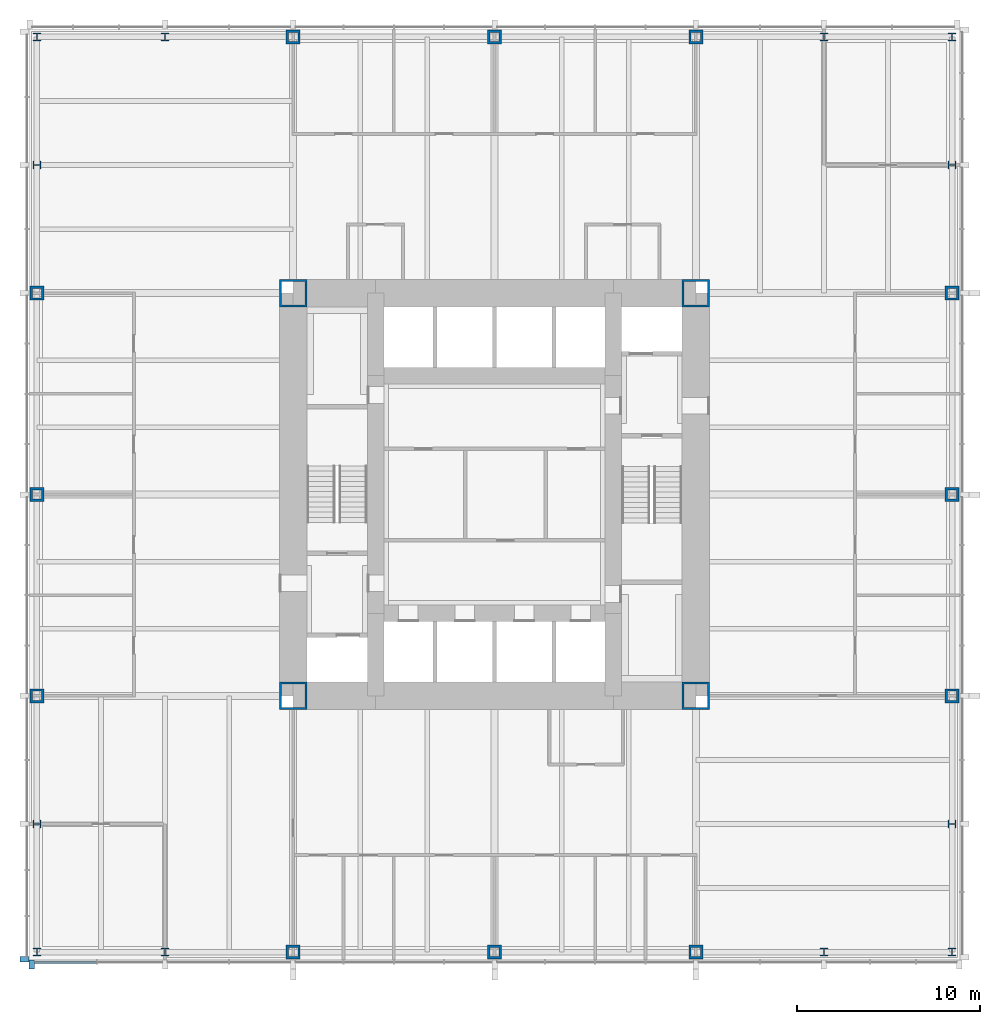
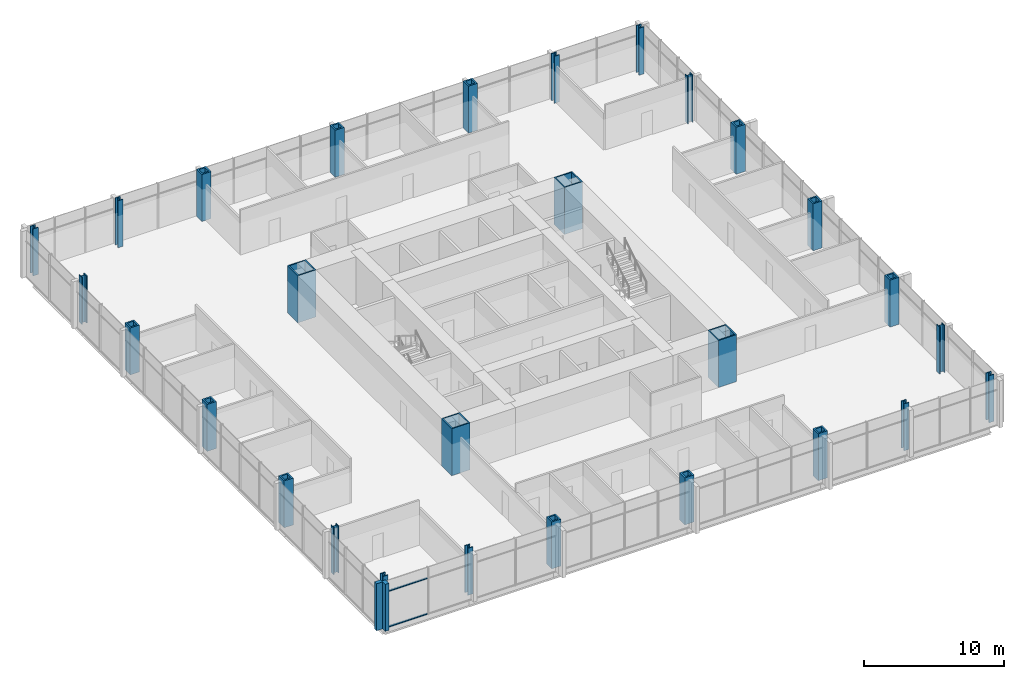
# One storey, part 1 of 12: 28 columns, 4 members, 2 elements without a shape of their own.
"""IFC4 building model written with IfcOpenShell, lengths in metres."""

from ifc_helpers import new_model, si_unit, direction, frame, origin, origin_2d, place, context, subcontext, project, spatial, rectangle, hollow_rectangle, i_section, extrude, material, material_profile, profile_set, type_object, element, aggregate, save


model = new_model("IFC4")

# Units and contexts
model_context = context("Model", 3, precision=1e-05, world=origin(), true_north=direction((0.0, 1.0)))
body_context = subcontext(model_context, "Body", "Model", "MODEL_VIEW")
ifc_project = project(units=[si_unit("LENGTHUNIT", "METRE"), si_unit("AREAUNIT", "SQUARE_METRE"), si_unit("VOLUMEUNIT", "CUBIC_METRE"), si_unit("PLANEANGLEUNIT", "RADIAN"), si_unit("MASSUNIT", "GRAM", prefix="KILO")], contexts=[model_context])

# Site, building, storey
site_placement = place(None, origin())
site = spatial("IfcSite", under=ifc_project, at=site_placement, CompositionType="ELEMENT")
building_placement = place(site_placement, origin())
building = spatial("IfcBuilding", under=site, at=building_placement, Name="Trevanion Tower", CompositionType="ELEMENT")
storey_placement = place(building_placement, frame((0.0, 0.0, 77.5)))
storey = spatial("IfcBuildingStorey", under=building, at=storey_placement, Name="L18", CompositionType="ELEMENT", Elevation=77.5)

# Columns
ifc_material_1 = material(Name="Steel ASTM A588 Grade 50", Category="steel")
ifc_material_profile_1 = material_profile(ifc_material_1, hollow_rectangle(XDim=0.761962890625, YDim=0.761962890625, WallThickness=0.126953125, at=origin_2d()), Name="BOX30X30X5")
ifc_profile_set_1 = profile_set([ifc_material_profile_1], Name="Steel ASTM A588 Grade 50")
column_type_1 = type_object("IfcColumnType", Name="C1 BOX30X30X5", PredefinedType="COLUMN", material=ifc_profile_set_1)
for number, where, z_axis, x_axis, name in (
    (1, (-25.0, 0.0, 0.0), (0.0, 0.0, 1.0), (0.0, 1.0, 0.0), "C1 3/H L18"),
    (2, (-25.0, -11.0, 0.0), (0.0, 0.0, 1.0), (0.0, 1.0, 0.0), "C1 3/F L18"),
    (3, (-11.0, -25.0, 0.0), (0.0, 0.0, 1.0), (1.0, 0.0, 0.0), "C1 8/A L18"),
    (4, (0.0, -25.0, 0.0), (0.0, 0.0, 1.0), (1.0, 0.0, 0.0), "C1 10/A L18"),
    (5, (11.0, -25.0, 0.0), (0.0, 0.0, 1.0), (1.0, 0.0, 0.0), "C1 12/A L18"),
    (6, (25.0, -11.0, 0.0), (0.0, 0.0, 1.0), (0.0, 1.0, 0.0), "C1 17/F L18"),
    (7, (25.0, 0.0, 0.0), (0.0, 0.0, 1.0), (0.0, 1.0, 0.0), "C1 17/H L18"),
    (8, (25.0, 11.0, 0.0), (0.0, 0.0, 1.0), (0.0, 1.0, 0.0), "C1 17/K L18"),
    (9, (11.0, 25.0, 0.0), (0.0, 0.0, 1.0), (1.0, 0.0, 0.0), "C1 12/Q L18"),
    (10, (0.0, 25.0, 0.0), (0.0, 0.0, 1.0), (1.0, 0.0, 0.0), "C1 10/Q L18"),
    (11, (-11.0, 25.0, 0.0), (0.0, 0.0, 1.0), (1.0, 0.0, 0.0), "C1 8/Q L18"),
    (12, (-25.0, 11.0, 0.0), (0.0, 0.0, 1.0), (0.0, 1.0, 0.0), "C1 3/K L18"),
):
    element("IfcColumn", number, at=place(storey_placement, frame(where, z_axis=z_axis, x_axis=x_axis)), inside=storey, type_object=column_type_1, Name=name, PredefinedType="COLUMN", context=body_context, shape_type="SweptSolid", body=[
        extrude(hollow_rectangle(XDim=0.761962890625, YDim=0.761962890625, WallThickness=0.126953125, at=origin_2d()), origin(), (0.0, 0.0, 1.0), 4.10009765625),
    ])
ifc_material_2 = material(Name="Steel ASTM A913 Grade 65", Category="steel")
ifc_material_profile_2 = material_profile(ifc_material_2, i_section(OverallWidth=0.419189453125, OverallDepth=0.45458984375, WebThickness=0.042236328125, FlangeThickness=0.067626953125, at=origin_2d()), Name="W14X370")
ifc_profile_set_2 = profile_set([ifc_material_profile_2], Name="Steel ASTM A913 Grade 65")
column_type_2 = type_object("IfcColumnType", Name="C2 W14X370", PredefinedType="COLUMN", material=ifc_profile_set_2)
for number, where, z_axis, x_axis, name in (
    (13, (-25.0, -18.0, 0.0), (0.0, 0.0, 1.0), (0.0, 1.0, 0.0), "C2 3/D L18"),
    (14, (-25.0, -25.0, 0.0), (0.0, 0.0, 1.0), (1.0, 0.0, 0.0), "C2 3/A L18"),
    (15, (-18.0, -25.0, 0.0), (0.0, 0.0, 1.0), (1.0, 0.0, 0.0), "C2 6/A L18"),
    (16, (18.0, -25.0, 0.0), (0.0, 0.0, 1.0), (1.0, 0.0, 0.0), "C2 14/A L18"),
    (17, (25.0, -25.0, 0.0), (0.0, 0.0, 1.0), (1.0, 0.0, 0.0), "C2 17/A L18"),
    (18, (25.0, -18.0, 0.0), (0.0, 0.0, 1.0), (0.0, 1.0, 0.0), "C2 17/D L18"),
    (19, (25.0, 18.0, 0.0), (0.0, 0.0, 1.0), (0.0, 1.0, 0.0), "C2 17/M L18"),
    (20, (25.0, 25.0, 0.0), (0.0, 0.0, 1.0), (1.0, 0.0, 0.0), "C2 17/Q L18"),
    (21, (18.0, 25.0, 0.0), (0.0, 0.0, 1.0), (1.0, 0.0, 0.0), "C2 14/Q L18"),
    (22, (-18.0, 25.0, 0.0), (0.0, 0.0, 1.0), (1.0, 0.0, 0.0), "C2 6/Q L18"),
    (23, (-25.0, 25.0, 0.0), (0.0, 0.0, 1.0), (1.0, 0.0, 0.0), "C2 3/Q L18"),
    (24, (-25.0, 18.0, 0.0), (0.0, 0.0, 1.0), (0.0, 1.0, 0.0), "C2 3/M L18"),
):
    element("IfcColumn", number, at=place(storey_placement, frame(where, z_axis=z_axis, x_axis=x_axis)), inside=storey, type_object=column_type_2, Name=name, PredefinedType="COLUMN", context=body_context, shape_type="SweptSolid", body=[
        extrude(i_section(OverallWidth=0.419189453125, OverallDepth=0.45458984375, WebThickness=0.042236328125, FlangeThickness=0.067626953125, at=origin_2d()), origin(), (0.0, 0.0, 1.0), 4.10009765625),
    ])
ifc_material_3 = material(Name="Steel ASTM A572 Grade 50", Category="steel")
ifc_material_profile_3 = material_profile(ifc_material_3, hollow_rectangle(XDim=1.49853515625, YDim=1.49853515625, WallThickness=0.1015625, at=origin_2d()), Name="BOX59X59X4")
ifc_profile_set_3 = profile_set([ifc_material_profile_3], Name="Steel ASTM A572 Grade 50")
column_type_3 = type_object("IfcColumnType", Name="CB1 BOX59X59X4", PredefinedType="COLUMN", material=ifc_profile_set_3)
for number, where, z_axis, x_axis, name in (
    (25, (11.0, 11.0, 0.0), (0.0, 0.0, 1.0), (1.0, 0.0, 0.0), "CB1 NE L18"),
    (26, (-11.0, 11.0, 0.0), (0.0, 0.0, 1.0), (1.0, 0.0, 0.0), "CB1 NW L18"),
    (27, (-11.0, -11.0, 0.0), (0.0, 0.0, 1.0), (1.0, 0.0, 0.0), "CB1 SW L18"),
    (28, (11.0, -11.0, 0.0), (0.0, 0.0, 1.0), (1.0, 0.0, 0.0), "CB1 SE L18"),
):
    element("IfcColumn", number, at=place(storey_placement, frame(where, z_axis=z_axis, x_axis=x_axis)), inside=storey, type_object=column_type_3, Name=name, PredefinedType="COLUMN", context=body_context, shape_type="SweptSolid", body=[
        extrude(hollow_rectangle(XDim=1.49853515625, YDim=1.49853515625, WallThickness=0.1015625, at=origin_2d()), origin(), (0.0, 0.0, 1.0), 4.10009765625),
    ])

# Curtain wall, member
ifc_material_4 = material(Name="Aluminium and glass", Category="aluminium")
curtain_wall_type = type_object("IfcCurtainWallType", Name="CW1 curtain wall", PredefinedType="USERDEFINED", material=ifc_material_4)
curtain_wall_1_placement = place(storey_placement, origin())
curtain_wall_1 = element("IfcCurtainWall", 29, at=curtain_wall_1_placement, inside=storey, type_object=curtain_wall_type, Name="CW1 L18 2", ObjectType="UNITISED CURTAIN WALL", PredefinedType="USERDEFINED")
ifc_material_5 = material(Name="Aluminium extrusion, anodised bronze", Category="aluminium")
ifc_material_profile_4 = material_profile(ifc_material_5, rectangle(XDim=0.300048828125, YDim=0.5, at=origin_2d()), Name="CW1 pier mullion")
ifc_profile_set_4 = profile_set([ifc_material_profile_4], Name="Aluminium extrusion, anodised bronze")
member_type_1 = type_object("IfcMemberType", Name="CW1 pier mullion", PredefinedType="MULLION", material=ifc_profile_set_4)
member_1_placement = place(storey_placement, frame((-25.675048828125, -25.39990234375, -0.18994140625), z_axis=(0.0, 0.0, 1.0), x_axis=(0.0, -1.0, 0.0)))
member_1 = element("IfcMember", 30, at=member_1_placement, type_object=member_type_1, Name="CW1 pier mullion 18", PredefinedType="MULLION", context=body_context, shape_type="SweptSolid", body=[
    extrude(rectangle(XDim=0.300048828125, YDim=0.5, at=origin_2d()), origin(), (0.0, 0.0, 1.0), 4.099853515625),
])
aggregate(curtain_wall_1, [member_1])

# Curtain wall, members
curtain_wall_2_placement = place(storey_placement, origin())
curtain_wall_2 = element("IfcCurtainWall", 31, at=curtain_wall_2_placement, inside=storey, type_object=curtain_wall_type, Name="CW1 L18 3", ObjectType="UNITISED CURTAIN WALL", PredefinedType="USERDEFINED")
member_2_placement = place(storey_placement, frame((-25.27001953125, -25.675048828125, -0.18994140625), z_axis=(0.0, 0.0, 1.0), x_axis=(1.0, 0.0, 0.0)))
member_2 = element("IfcMember", 32, at=member_2_placement, type_object=member_type_1, Name="CW1 pier mullion 1", PredefinedType="MULLION", context=body_context, shape_type="SweptSolid", body=[
    extrude(rectangle(XDim=0.300048828125, YDim=0.5, at=origin_2d()), origin(), (0.0, 0.0, 1.0), 4.099853515625),
])
ifc_material_6 = material(Name="Aluminium extrusion, anodised bronze", Category="aluminium")
ifc_material_profile_5 = material_profile(ifc_material_6, rectangle(XDim=0.14990234375, YDim=0.074951171875, at=origin_2d()), Name="CW1 transom")
ifc_profile_set_5 = profile_set([ifc_material_profile_5], Name="Aluminium extrusion, anodised bronze")
member_type_2 = type_object("IfcMemberType", Name="CW1 transom", PredefinedType="USERDEFINED", material=ifc_profile_set_5)
member_3_placement = place(storey_placement, frame((-25.1201171875, -25.550048828125, -0.152587890625), z_axis=(1.0, 0.0, 0.0), x_axis=(0.0, 1.0, 0.0)))
member_3 = element("IfcMember", 33, at=member_3_placement, type_object=member_type_2, Name="CW1 transom 1.1", ObjectType="TRANSOM", PredefinedType="USERDEFINED", context=body_context, shape_type="SweptSolid", body=[
    extrude(rectangle(XDim=0.14990234375, YDim=0.074951171875, at=origin_2d()), origin(), (0.0, 0.0, 1.0), 3.37255859375),
])
member_4_placement = place(storey_placement, frame((-25.1201171875, -25.550048828125, 2.9599609375), z_axis=(1.0, 0.0, 0.0), x_axis=(0.0, 1.0, 0.0)))
member_4 = element("IfcMember", 34, at=member_4_placement, type_object=member_type_2, Name="CW1 transom 1.2", ObjectType="TRANSOM", PredefinedType="USERDEFINED", context=body_context, shape_type="SweptSolid", body=[
    extrude(rectangle(XDim=0.14990234375, YDim=0.074951171875, at=origin_2d()), origin(), (0.0, 0.0, 1.0), 3.37255859375),
])
aggregate(curtain_wall_2, [member_2, member_3, member_4])

save(model, "model.ifc")
